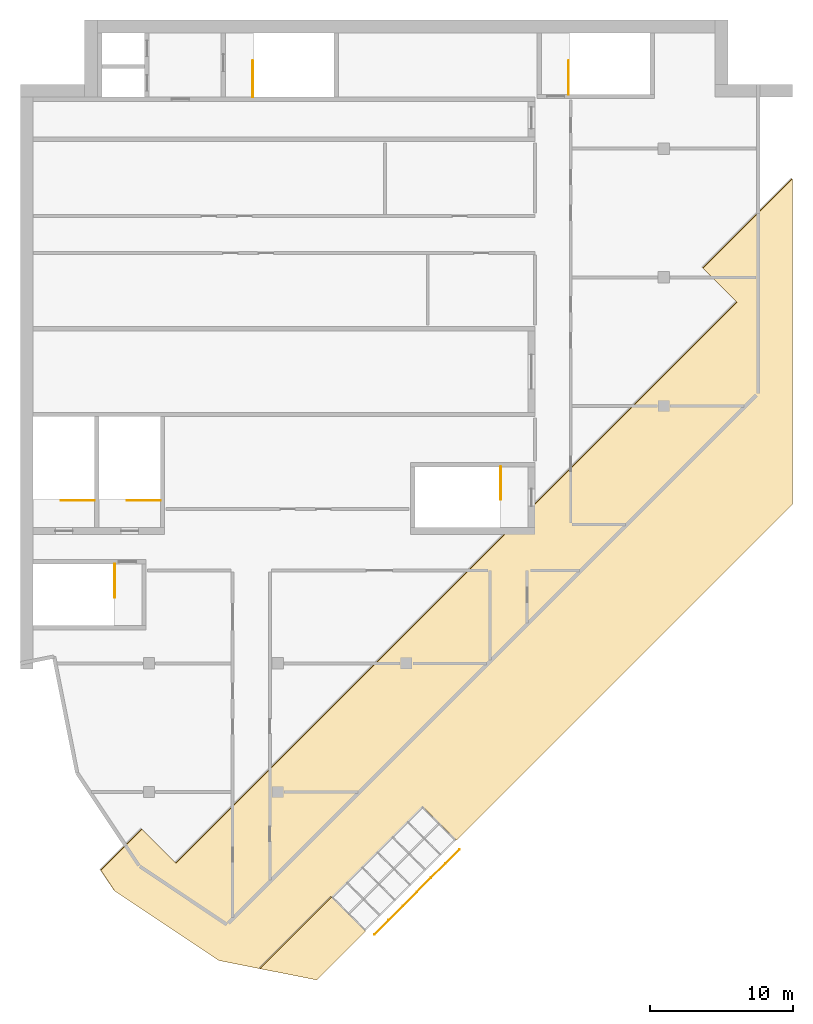
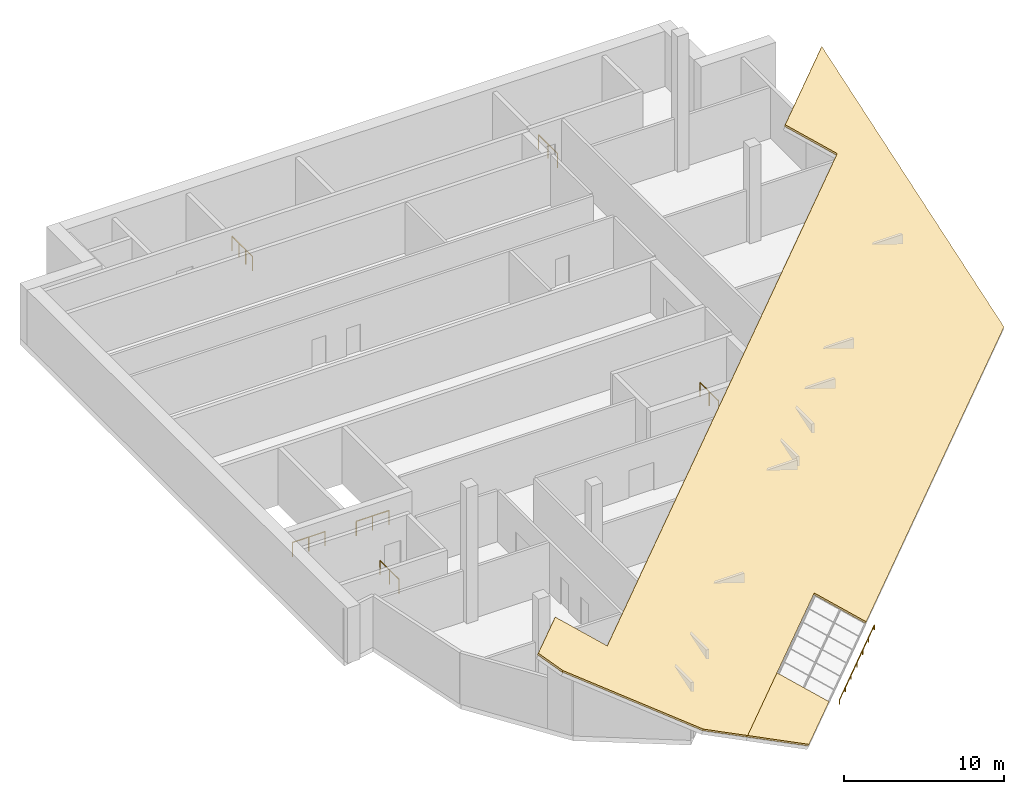
# One storey, part 5 of 5: 7 railings, 2 coverings.
"""IFC4 building model written with IfcOpenShell, lengths in metres."""

from ifc_helpers import new_model, si_unit, direction, frame, origin, origin_2d, place, context, subcontext, project, spatial, polyline, circle, outline, extrude, material, layer, layer_set, type_object, element, save


model = new_model("IFC4")

# Units and contexts
model_context = context("Model", 3, precision=1e-05, world=origin(), true_north=direction((0.0, 1.0)))
body_context = subcontext(model_context, "Body", "Model", "MODEL_VIEW")
ifc_project = project(units=[si_unit("LENGTHUNIT", "METRE"), si_unit("AREAUNIT", "SQUARE_METRE"), si_unit("VOLUMEUNIT", "CUBIC_METRE"), si_unit("PLANEANGLEUNIT", "RADIAN"), si_unit("MASSUNIT", "GRAM", prefix="KILO")], contexts=[model_context])

# Site, building, storey
site_placement = place(None, origin())
site = spatial("IfcSite", under=ifc_project, at=site_placement, CompositionType="ELEMENT")
building_placement = place(site_placement, origin())
building = spatial("IfcBuilding", under=site, at=building_placement, Name="Hunhe Ridgeline Campus", CompositionType="ELEMENT")
storey_placement = place(building_placement, frame((0.0, 0.0, 307.199951171875)))
storey = spatial("IfcBuildingStorey", under=building, at=storey_placement, Name="L79 Crown", CompositionType="ELEMENT", Elevation=307.199951171875)

# Coverings
ifc_material_1 = material(Name="Bituminous roofing membrane on mineral wool")
ifc_layer = layer(ifc_material_1, 0.14990234375)
ifc_layer_set = layer_set([ifc_layer], Name="Roof insulation and membrane 150")
covering_type = type_object("IfcCoveringType", Name="Roof insulation and membrane 150", PredefinedType="ROOFING", material=ifc_layer_set)
covering_1_placement = place(storey_placement, frame((24.137939453125, 35.259033203125, -0.236083984375), z_axis=(0.301514491371, -0.30152325098, 0.904529015904), x_axis=(-0.639598600989, 0.639598600886, 0.426412076936)))
element("IfcCovering", 1, at=covering_1_placement, inside=storey, type_object=covering_type, Name="Roof insulation and membrane 2", PredefinedType="ROOFING", context=body_context, shape_type="SweptSolid", body=[
    extrude(outline(polyline([(0.0, 0.0), (3.719353121789961, 2.5392014879610514e-16), (3.7193531223050096, 7.066234073967909), (0.00015615235338639621, 4.818373381637377), (0.0, 0.0)])), origin(), (0.0, 0.0, -1.0), 0.14990234375),
])
covering_2_placement = place(storey_placement, frame((13.8896484375, 33.212646484375, 2.498046875), z_axis=(0.301521284285, -0.301520447839, 0.904527685954), x_axis=(0.91315221988, -0.181598718917, -0.364931402616)))
element("IfcCovering", 2, at=covering_2_placement, inside=storey, type_object=covering_type, Name="Roof insulation and membrane 3", PredefinedType="ROOFING", context=body_context, shape_type="SweptSolid", body=[
    extrude(outline(polyline([(0.0, 0.0), (3.14606336916528, 0.0), (11.456991264434523, 13.749516350264313), (14.639792238091635, 11.825706960353692), (31.830049297215783, 40.26572143909212), (24.928912466489155, 63.240060774810566), (20.364740172273965, 55.688973802435164), (23.54754114593108, 53.76516441252455), (-5.161825922494684, 6.267630647136777), (-8.344626896151798, 8.191440037047396), (-10.450879444212049, 4.706800292761615), (-9.032633527496644, 3.4584241120024335), (0.0, 0.0)])), origin(), (0.0, 0.0, -1.0), 0.14990234375),
])

# Railings
ifc_material_2 = material(Name="Steel Q355", Category="steel")
railing_type_1 = type_object("IfcRailingType", Name="Snow guard 350 Steel Q355", PredefinedType="USERDEFINED", material=ifc_material_2)
railing_1_placement = place(storey_placement, frame((30.7138671875, 40.98681640625, -0.51904296875)))
element("IfcRailing", 3, at=railing_1_placement, inside=storey, type_object=railing_type_1, Name="Snow guard 1", ObjectType="SNOW GUARD", PredefinedType="USERDEFINED", context=body_context, shape_type="SweptSolid", body=[
    extrude(circle(Radius=0.02392578125, at=origin_2d()), frame((0.0, 0.0, 0.326171875), z_axis=(-0.707106781187, -0.707106781187, 0.0), x_axis=(0.707106781187, -0.707106781187, 0.0)), (0.0, 0.0, 1.0), 8.39990234375),
    extrude(circle(Radius=0.02099609375, at=origin_2d()), origin(), (0.0, 0.0, 1.0), 0.302001953125),
    extrude(circle(Radius=0.02099609375, at=origin_2d()), frame((-0.989990234375, -0.989990234375, 0.0)), (0.0, 0.0, 1.0), 0.302001953125),
    extrude(circle(Radius=0.02099609375, at=origin_2d()), frame((-1.97998046875, -1.97998046875, 0.0)), (0.0, 0.0, 1.0), 0.302001953125),
    extrude(circle(Radius=0.02099609375, at=origin_2d()), frame((-2.9697265625, -2.9697265625, 0.0)), (0.0, 0.0, 1.0), 0.302001953125),
    extrude(circle(Radius=0.02099609375, at=origin_2d()), frame((-3.959716796875, -3.959716796875, 0.0)), (0.0, 0.0, 1.0), 0.302001953125),
    extrude(circle(Radius=0.02099609375, at=origin_2d()), frame((-4.94970703125, -4.94970703125, 0.0)), (0.0, 0.0, 1.0), 0.302001953125),
    extrude(circle(Radius=0.02099609375, at=origin_2d()), frame((-5.939697265625, -5.939697265625, 0.0)), (0.0, 0.0, 1.0), 0.302001953125),
])
ifc_material_3 = material(Name="Stainless steel balustrade", Category="steel")
railing_type_2 = type_object("IfcRailingType", Name="Stair guard 1100 stainless", PredefinedType="GUARDRAIL", material=ifc_material_3)
railing_2_placement = place(storey_placement, frame((16.25, 93.60009765625, 0.0)))
element("IfcRailing", 4, at=railing_2_placement, inside=storey, type_object=railing_type_2, Name="L79 Crown stair S1 top guard 1", PredefinedType="GUARDRAIL", context=body_context, shape_type="SweptSolid", body=[
    extrude(circle(Radius=0.02392578125, at=origin_2d()), frame((0.0, 0.0, 1.076171875), z_axis=(0.0, 1.0, 0.0), x_axis=(-1.0, 0.0, 0.0)), (0.0, 0.0, 1.0), 2.5498046875),
    extrude(circle(Radius=0.02099609375, at=origin_2d()), origin(), (0.0, 0.0, 1.0), 1.052001953125),
    extrude(circle(Radius=0.02099609375, at=origin_2d()), frame((0.0, 0.849853515625, 0.0)), (0.0, 0.0, 1.0), 1.052001953125),
    extrude(circle(Radius=0.02099609375, at=origin_2d()), frame((0.0, 1.699951171875, 0.0)), (0.0, 0.0, 1.0), 1.052001953125),
    extrude(circle(Radius=0.02099609375, at=origin_2d()), frame((0.0, 2.5498046875, 0.0)), (0.0, 0.0, 1.0), 1.052001953125),
])
railing_3_placement = place(storey_placement, frame((33.60009765625, 67.75, 0.0)))
element("IfcRailing", 5, at=railing_3_placement, inside=storey, type_object=railing_type_2, Name="L79 Crown stair S2 top guard 1", PredefinedType="GUARDRAIL", context=body_context, shape_type="SweptSolid", body=[
    extrude(circle(Radius=0.02392578125, at=origin_2d()), frame((0.0, 0.0, 1.076171875), z_axis=(0.0, -1.0, 0.0), x_axis=(1.0, 0.0, 0.0)), (0.0, 0.0, 1.0), 2.300048828125),
    extrude(circle(Radius=0.02099609375, at=origin_2d()), origin(), (0.0, 0.0, 1.0), 1.052001953125),
    extrude(circle(Radius=0.02099609375, at=origin_2d()), frame((0.0, -1.14990234375, 0.0)), (0.0, 0.0, 1.0), 1.052001953125),
    extrude(circle(Radius=0.02099609375, at=origin_2d()), frame((0.0, -2.300048828125, 0.0)), (0.0, 0.0, 1.0), 1.052001953125),
])
railing_4_placement = place(storey_placement, frame((5.199951171875, 65.39990234375, 0.0)))
element("IfcRailing", 6, at=railing_4_placement, inside=storey, type_object=railing_type_2, Name="L79 Crown stair S3 top guard 1", PredefinedType="GUARDRAIL", context=body_context, shape_type="SweptSolid", body=[
    extrude(circle(Radius=0.02392578125, at=origin_2d()), frame((0.0, 0.0, 1.076171875), z_axis=(-1.0, 0.0, 0.0), x_axis=(0.0, -1.0, 0.0)), (0.0, 0.0, 1.0), 2.349853515625),
    extrude(circle(Radius=0.02099609375, at=origin_2d()), origin(), (0.0, 0.0, 1.0), 1.052001953125),
    extrude(circle(Radius=0.02099609375, at=origin_2d()), frame((-1.1748046875, 0.0, 0.0)), (0.0, 0.0, 1.0), 1.052001953125),
    extrude(circle(Radius=0.02099609375, at=origin_2d()), frame((-2.349853515625, 0.0, 0.0)), (0.0, 0.0, 1.0), 1.052001953125),
])
railing_5_placement = place(storey_placement, frame((9.800048828125, 65.39990234375, 0.0)))
element("IfcRailing", 7, at=railing_5_placement, inside=storey, type_object=railing_type_2, Name="L79 Crown stair S4 top guard 1", PredefinedType="GUARDRAIL", context=body_context, shape_type="SweptSolid", body=[
    extrude(circle(Radius=0.02392578125, at=origin_2d()), frame((0.0, 0.0, 1.076171875), z_axis=(-1.0, 0.0, 0.0), x_axis=(0.0, -1.0, 0.0)), (0.0, 0.0, 1.0), 2.35009765625),
    extrude(circle(Radius=0.02099609375, at=origin_2d()), origin(), (0.0, 0.0, 1.0), 1.052001953125),
    extrude(circle(Radius=0.02099609375, at=origin_2d()), frame((-1.175048828125, 0.0, 0.0)), (0.0, 0.0, 1.0), 1.052001953125),
    extrude(circle(Radius=0.02099609375, at=origin_2d()), frame((-2.35009765625, 0.0, 0.0)), (0.0, 0.0, 1.0), 1.052001953125),
])
railing_6_placement = place(storey_placement, frame((38.35009765625, 93.800048828125, 0.0)))
element("IfcRailing", 8, at=railing_6_placement, inside=storey, type_object=railing_type_2, Name="L79 Crown stair E1 top guard 1", PredefinedType="GUARDRAIL", context=body_context, shape_type="SweptSolid", body=[
    extrude(circle(Radius=0.02392578125, at=origin_2d()), frame((0.0, 0.0, 1.076171875), z_axis=(0.0, 1.0, 0.0), x_axis=(-1.0, 0.0, 0.0)), (0.0, 0.0, 1.0), 2.349853515625),
    extrude(circle(Radius=0.02099609375, at=origin_2d()), origin(), (0.0, 0.0, 1.0), 1.052001953125),
    extrude(circle(Radius=0.02099609375, at=origin_2d()), frame((0.0, 1.1748046875, 0.0)), (0.0, 0.0, 1.0), 1.052001953125),
    extrude(circle(Radius=0.02099609375, at=origin_2d()), frame((0.0, 2.349853515625, 0.0)), (0.0, 0.0, 1.0), 1.052001953125),
])
railing_7_placement = place(storey_placement, frame((6.60009765625, 60.949951171875, 0.0)))
element("IfcRailing", 9, at=railing_7_placement, inside=storey, type_object=railing_type_2, Name="L79 Crown stair W2 top guard 1", PredefinedType="GUARDRAIL", context=body_context, shape_type="SweptSolid", body=[
    extrude(circle(Radius=0.02392578125, at=origin_2d()), frame((0.0, 0.0, 1.076171875), z_axis=(0.0, -1.0, 0.0), x_axis=(1.0, 0.0, 0.0)), (0.0, 0.0, 1.0), 2.349853515625),
    extrude(circle(Radius=0.02099609375, at=origin_2d()), origin(), (0.0, 0.0, 1.0), 1.052001953125),
    extrude(circle(Radius=0.02099609375, at=origin_2d()), frame((0.0, -1.1748046875, 0.0)), (0.0, 0.0, 1.0), 1.052001953125),
    extrude(circle(Radius=0.02099609375, at=origin_2d()), frame((0.0, -2.349853515625, 0.0)), (0.0, 0.0, 1.0), 1.052001953125),
])

save(model, "model.ifc")
